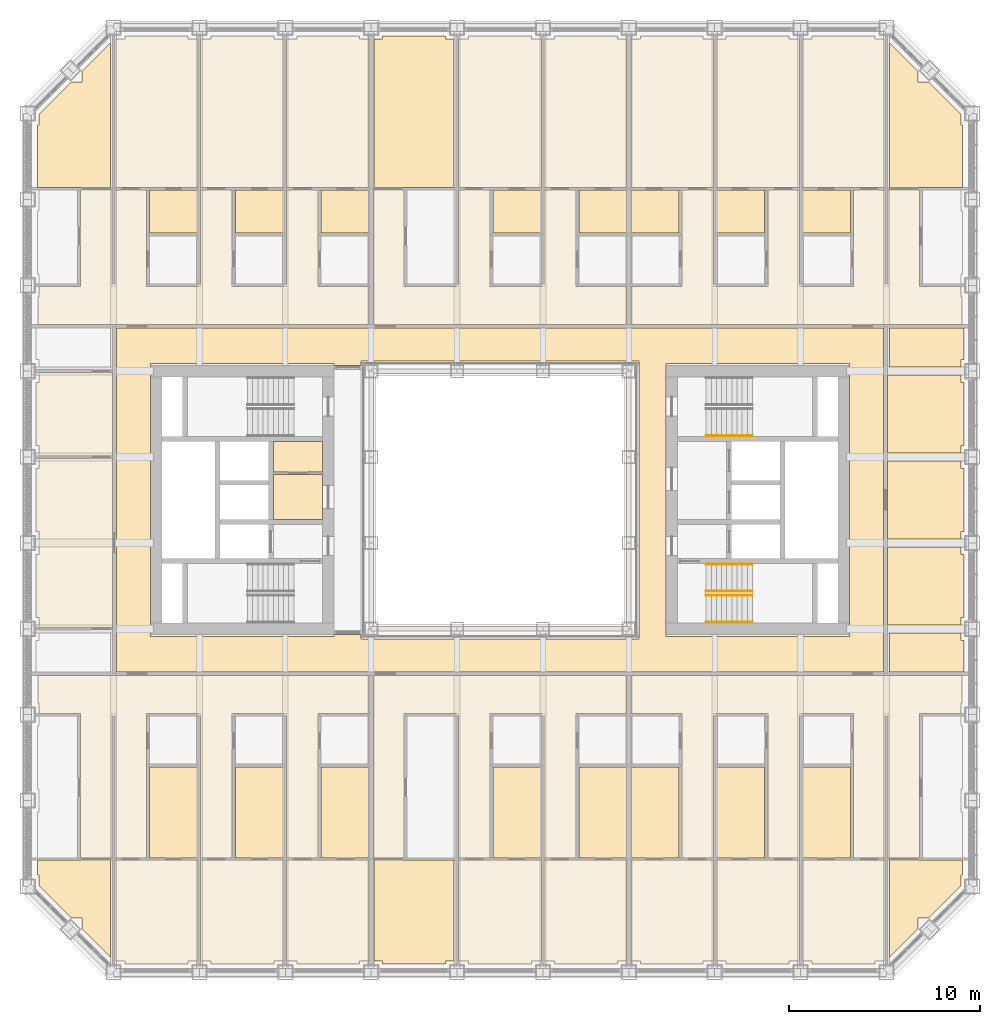
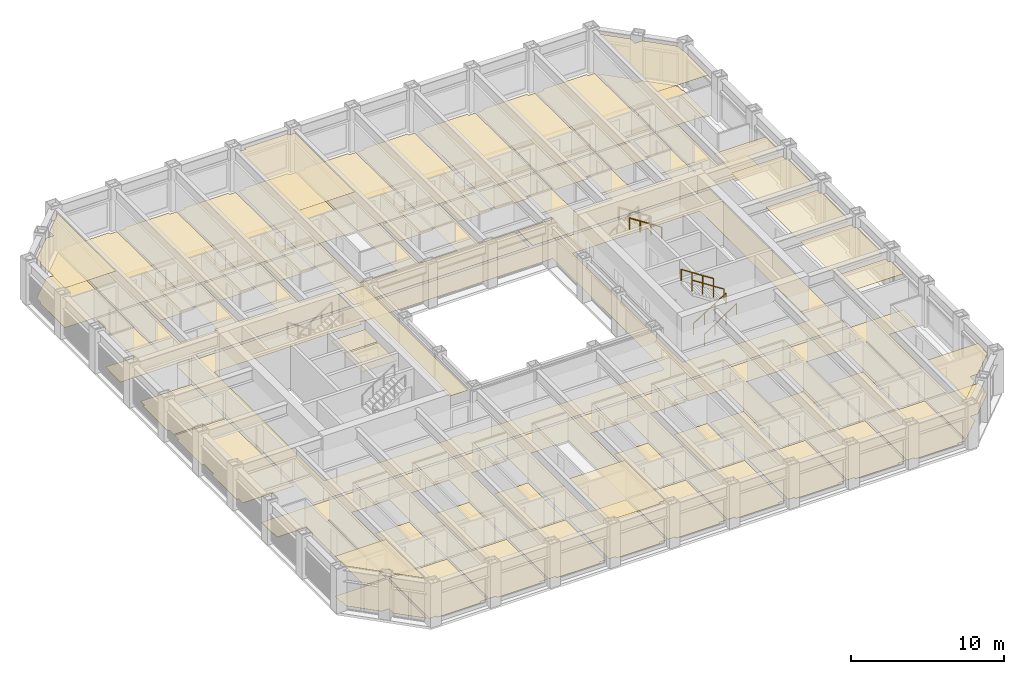
# One storey, part 20 of 21: 5 railings, 4 coverings.
"""IFC4 building model written with IfcOpenShell, lengths in metres."""

from ifc_helpers import new_model, si_unit, direction, frame, origin, origin_2d, place, context, subcontext, project, spatial, line, indexed_curve, circle, outline, extrude, material, layer, layer_set, type_object, element, save


model = new_model("IFC4")

# Units and contexts
model_context = context("Model", 3, precision=1e-05, world=origin(), true_north=direction((0.0, 1.0)))
body_context = subcontext(model_context, "Body", "Model", "MODEL_VIEW")
ifc_project = project(units=[si_unit("LENGTHUNIT", "METRE"), si_unit("AREAUNIT", "SQUARE_METRE"), si_unit("VOLUMEUNIT", "CUBIC_METRE"), si_unit("PLANEANGLEUNIT", "RADIAN"), si_unit("MASSUNIT", "GRAM", prefix="KILO")], contexts=[model_context])

# Site, building, storey
site_placement = place(None, origin())
site = spatial("IfcSite", under=ifc_project, at=site_placement, CompositionType="ELEMENT")
building_placement = place(site_placement, origin())
building = spatial("IfcBuilding", under=site, at=building_placement, Name="Msasa Ring Tower", CompositionType="ELEMENT")
storey_placement = place(building_placement, frame((0.0, 0.0, 96.5)))
storey = spatial("IfcBuildingStorey", under=building, at=storey_placement, Name="L25", CompositionType="ELEMENT", Elevation=96.5)

# Coverings
ifc_material_1 = material(Name="Gypsum plasterboard on a steel suspension grid", Category="steel")
ifc_layer_1 = layer(ifc_material_1, 0.014892578125)
ifc_layer_set_1 = layer_set([ifc_layer_1], Name="C1 SUSPENDED PLASTERBOARD CEILING 15")
covering_type_1 = type_object("IfcCoveringType", Name="C1 SUSPENDED PLASTERBOARD CEILING 15", PredefinedType="CEILING", material=ifc_layer_set_1)
covering_1_placement = place(storey_placement, frame((0.0, 0.0, 3.175048828125)))
element("IfcCovering", 1, at=covering_1_placement, inside=storey, type_object=covering_type_1, Name="Suspended Plasterboard Ceiling 15 public rooms L25", PredefinedType="CEILING", context=body_context, shape_type="SweptSolid", body=[
    extrude(outline(indexed_curve([(-24.23193359375, -18.867919921875), (-20.404296875, -18.867919921875), (-20.404296875, -23.95849609375), (-21.8994140625, -22.46337890625), (-21.8994140625, -21.8994140625), (-22.46337890625, -21.8994140625), (-24.1494140625, -20.21337890625), (-24.1494140625, -19.6494140625), (-24.23193359375, -19.6494140625)], segments=[line(1, 2, 3, 4, 5, 6, 7, 8, 9, 1)], self_intersect=False)), origin(), (0.0, 0.0, 1.0), 0.014892578125),
    extrude(outline(indexed_curve([(-24.23193359375, 16.367919921875), (-24.23193359375, 19.6494140625), (-24.1494140625, 19.6494140625), (-24.1494140625, 20.21337890625), (-22.46337890625, 21.8994140625), (-21.8994140625, 21.8994140625), (-21.8994140625, 22.46337890625), (-20.404296875, 23.95849609375), (-20.404296875, 16.367919921875)], segments=[line(1, 2, 3, 4, 5, 6, 7, 8, 9, 1)], self_intersect=False)), origin(), (0.0, 0.0, 1.0), 0.014892578125),
    extrude(outline(indexed_curve([(-8.699462890625, -6.849609375), (-8.699462890625, 6.849609375), (-7.280029296875, 6.849609375), (-7.280029296875, -6.849609375)], segments=[line(1, 2, 3, 4, 1)], self_intersect=False)), origin(), (0.0, 0.0, 1.0), 0.014892578125),
    extrude(outline(indexed_curve([(-6.1494140625, -24.299560546875), (-6.1494140625, -24.1494140625), (-6.595703125, -24.1494140625), (-6.595703125, -18.867919921875), (-2.404296875, -18.867919921875), (-2.404296875, -24.1494140625), (-2.8505859375, -24.1494140625), (-2.8505859375, -24.299560546875)], segments=[line(1, 2, 3, 4, 5, 6, 7, 8, 1)], self_intersect=False)), origin(), (0.0, 0.0, 1.0), 0.014892578125),
    extrude(outline(indexed_curve([(-6.595703125, 16.367919921875), (-6.595703125, 24.1494140625), (-6.1494140625, 24.1494140625), (-6.1494140625, 24.299560546875), (-2.8505859375, 24.299560546875), (-2.8505859375, 24.1494140625), (-2.404296875, 24.1494140625), (-2.404296875, 16.367919921875)], segments=[line(1, 2, 3, 4, 5, 6, 7, 8, 1)], self_intersect=False)), origin(), (0.0, 0.0, 1.0), 0.014892578125),
    extrude(outline(indexed_curve([(24.23193359375, -18.867919921875), (24.23193359375, -19.6494140625), (24.1494140625, -19.6494140625), (24.1494140625, -20.21337890625), (22.46337890625, -21.8994140625), (21.8994140625, -21.8994140625), (21.8994140625, -22.46337890625), (20.404296875, -23.95849609375), (20.404296875, -18.867919921875)], segments=[line(1, 2, 3, 4, 5, 6, 7, 8, 9, 1)], self_intersect=False)), origin(), (0.0, 0.0, 1.0), 0.014892578125),
    extrude(outline(indexed_curve([(24.23193359375, 16.367919921875), (20.404296875, 16.367919921875), (20.404296875, 23.95849609375), (21.8994140625, 22.46337890625), (21.8994140625, 21.8994140625), (22.46337890625, 21.8994140625), (24.1494140625, 20.21337890625), (24.1494140625, 19.6494140625), (24.23193359375, 19.6494140625)], segments=[line(1, 2, 3, 4, 5, 6, 7, 8, 9, 1)], self_intersect=False)), origin(), (0.0, 0.0, 1.0), 0.014892578125),
])
ifc_material_2 = material(Name="Mineral fibre ceiling tiles on an exposed steel grid", Category="steel")
ifc_layer_2 = layer(ifc_material_2, 0.02001953125)
ifc_layer_set_2 = layer_set([ifc_layer_2], Name="C3 ACOUSTIC MINERAL FIBRE TILE CEILING 20")
covering_type_2 = type_object("IfcCoveringType", Name="C3 ACOUSTIC MINERAL FIBRE TILE CEILING 20", PredefinedType="CEILING", material=ifc_layer_set_2)
covering_2_placement = place(storey_placement, frame((0.0, 0.0, 2.699951171875)))
element("IfcCovering", 2, at=covering_2_placement, inside=storey, type_object=covering_type_2, Name="Acoustic Mineral Fibre Tile Ceiling 20 L25", PredefinedType="CEILING", context=body_context, shape_type="SweptSolid", body=[
    extrude(outline(indexed_curve([(-9.300537109375, -1.0244140625), (-11.87451171875, -1.0244140625), (-11.87451171875, 1.344482421875), (-9.300537109375, 1.344482421875)], segments=[line(1, 2, 3, 4, 1)], self_intersect=False)), origin(), (0.0, 0.0, 1.0), 0.02001953125),
    extrude(outline(indexed_curve([(-9.300537109375, 1.45556640625), (-11.87451171875, 1.45556640625), (-11.87451171875, 3.074462890625), (-9.300537109375, 3.074462890625)], segments=[line(1, 2, 3, 4, 1)], self_intersect=False)), origin(), (0.0, 0.0, 1.0), 0.02001953125),
    extrude(outline(indexed_curve([(20.300537109375, -2.460693359375), (24.1494140625, -2.460693359375), (24.1494140625, -2.8505859375), (24.299560546875, -2.8505859375), (24.299560546875, -6.1494140625), (24.1494140625, -6.1494140625), (24.1494140625, -6.539306640625), (20.300537109375, -6.539306640625)], segments=[line(1, 2, 3, 4, 5, 6, 7, 8, 1)], self_intersect=False)), origin(), (0.0, 0.0, 1.0), 0.02001953125),
    extrude(outline(indexed_curve([(20.300537109375, 2.039306640625), (24.1494140625, 2.039306640625), (24.1494140625, 1.6494140625), (24.299560546875, 1.6494140625), (24.299560546875, -1.6494140625), (24.1494140625, -1.6494140625), (24.1494140625, -2.039306640625), (20.300537109375, -2.039306640625)], segments=[line(1, 2, 3, 4, 5, 6, 7, 8, 1)], self_intersect=False)), origin(), (0.0, 0.0, 1.0), 0.02001953125),
    extrude(outline(indexed_curve([(20.300537109375, 6.539306640625), (24.1494140625, 6.539306640625), (24.1494140625, 6.1494140625), (24.299560546875, 6.1494140625), (24.299560546875, 2.8505859375), (24.1494140625, 2.8505859375), (24.1494140625, 2.460693359375), (20.300537109375, 2.460693359375)], segments=[line(1, 2, 3, 4, 5, 6, 7, 8, 1)], self_intersect=False)), origin(), (0.0, 0.0, 1.0), 0.02001953125),
    extrude(outline(indexed_curve([(24.299560546875, -8.99951171875), (20.404296875, -8.99951171875), (20.404296875, -6.960693359375), (24.1494140625, -6.960693359375), (24.1494140625, -7.3505859375), (24.299560546875, -7.3505859375)], segments=[line(1, 2, 3, 4, 5, 6, 1)], self_intersect=False)), origin(), (0.0, 0.0, 1.0), 0.02001953125),
    extrude(outline(indexed_curve([(24.299560546875, 8.99951171875), (24.299560546875, 7.3505859375), (24.1494140625, 7.3505859375), (24.1494140625, 6.960693359375), (20.404296875, 6.960693359375), (20.404296875, 8.99951171875)], segments=[line(1, 2, 3, 4, 5, 6, 1)], self_intersect=False)), origin(), (0.0, 0.0, 1.0), 0.02001953125),
])
ifc_material_3 = material(Name="Wool-blend carpet on felt underlay", Category="textile")
ifc_layer_3 = layer(ifc_material_3, 0.011962890625)
ifc_layer_set_3 = layer_set([ifc_layer_3], Name="F2 CARPET ON UNDERLAY 12")
covering_type_3 = type_object("IfcCoveringType", Name="F2 CARPET ON UNDERLAY 12", PredefinedType="FLOORING", material=ifc_layer_set_3)
covering_3_placement = place(storey_placement, origin())
element("IfcCovering", 3, at=covering_3_placement, inside=storey, type_object=covering_type_3, Name="Carpet On Underlay 12 L25", PredefinedType="FLOORING", context=body_context, shape_type="SweptSolid", body=[
    extrude(outline(indexed_curve([(-20.318115234375, -24.044921875), (-21.8994140625, -22.46337890625), (-21.8994140625, -21.8994140625), (-22.46337890625, -21.8994140625), (-24.1494140625, -20.21337890625), (-24.1494140625, -19.6494140625), (-24.23193359375, -19.6494140625), (-24.23193359375, -18.87548828125), (-20.318115234375, -18.87548828125)], segments=[line(1, 2, 3, 4, 5, 6, 7, 8, 9, 1)], self_intersect=False)), origin(), (0.0, 0.0, 1.0), 0.011962890625),
    extrude(outline(indexed_curve([(-22.46337890625, 21.8994140625), (-21.8994140625, 21.8994140625), (-21.8994140625, 22.46337890625), (-20.318115234375, 24.044921875), (-20.318115234375, 16.37548828125), (-24.23193359375, 16.37548828125), (-24.23193359375, 19.6494140625), (-24.1494140625, 19.6494140625), (-24.1494140625, 20.21337890625)], segments=[line(1, 2, 3, 4, 5, 6, 7, 8, 9, 1)], self_intersect=False)), origin(), (0.0, 0.0, 1.0), 0.011962890625),
    extrude(outline(indexed_curve([(-20.099609375, -8.99951171875), (-20.099609375, 8.99951171875), (20.099609375, 8.99951171875), (20.099609375, -8.99951171875)], segments=[line(1, 2, 3, 4, 1)], self_intersect=False), holes=[indexed_curve([(8.699462890625, -7.150390625), (18.300537109375, -7.150390625), (18.300537109375, 7.150390625), (8.699462890625, 7.150390625)], segments=[line(1, 2, 3, 4, 1)], self_intersect=False), indexed_curve([(-8.699462890625, 7.150390625), (-18.300537109375, 7.150390625), (-18.300537109375, -7.150390625), (-8.699462890625, -7.150390625), (-8.699462890625, -7.050537109375), (-7.280029296875, -7.050537109375), (-7.275390625, -7.275390625), (-7.22998046875, -7.280029296875), (7.275390625, -7.275390625), (7.275390625, 7.275390625), (-7.22998046875, 7.280029296875), (-7.275390625, 7.275390625), (-7.280029296875, 7.050537109375), (-8.699462890625, 7.050537109375)], segments=[line(1, 2, 3, 4, 5, 6, 7, 8, 9, 10, 11, 12, 13, 14, 1)], self_intersect=False)]), origin(), (0.0, 0.0, 1.0), 0.011962890625),
    extrude(outline(indexed_curve([(-15.818115234375, -13.992919921875), (-15.818115234375, -18.74951171875), (-18.369384765625, -18.74951171875), (-18.369384765625, -13.992919921875)], segments=[line(1, 2, 3, 4, 1)], self_intersect=False)), origin(), (0.0, 0.0, 1.0), 0.011962890625),
    extrude(outline(indexed_curve([(-15.818115234375, 13.992919921875), (-18.369384765625, 13.992919921875), (-18.369384765625, 16.24951171875), (-15.818115234375, 16.24951171875)], segments=[line(1, 2, 3, 4, 1)], self_intersect=False)), origin(), (0.0, 0.0, 1.0), 0.011962890625),
    extrude(outline(indexed_curve([(-11.318115234375, -18.74951171875), (-13.869384765625, -18.74951171875), (-13.869384765625, -13.992919921875), (-11.318115234375, -13.992919921875)], segments=[line(1, 2, 3, 4, 1)], self_intersect=False)), origin(), (0.0, 0.0, 1.0), 0.011962890625),
    extrude(outline(indexed_curve([(-11.318115234375, 13.992919921875), (-13.869384765625, 13.992919921875), (-13.869384765625, 16.24951171875), (-11.318115234375, 16.24951171875)], segments=[line(1, 2, 3, 4, 1)], self_intersect=False)), origin(), (0.0, 0.0, 1.0), 0.011962890625),
    extrude(outline(indexed_curve([(-9.369384765625, -13.992919921875), (-6.87548828125, -13.992919921875), (-6.87548828125, -18.74951171875), (-9.369384765625, -18.74951171875)], segments=[line(1, 2, 3, 4, 1)], self_intersect=False)), origin(), (0.0, 0.0, 1.0), 0.011962890625),
    extrude(outline(indexed_curve([(-9.369384765625, 13.992919921875), (-9.369384765625, 16.24951171875), (-6.87548828125, 16.24951171875), (-6.87548828125, 13.992919921875)], segments=[line(1, 2, 3, 4, 1)], self_intersect=False)), origin(), (0.0, 0.0, 1.0), 0.011962890625),
    extrude(outline(indexed_curve([(-2.318115234375, -24.1494140625), (-2.8505859375, -24.1494140625), (-2.8505859375, -24.299560546875), (-6.1494140625, -24.299560546875), (-6.1494140625, -24.1494140625), (-6.62451171875, -24.1494140625), (-6.62451171875, -18.87548828125), (-2.318115234375, -18.87548828125)], segments=[line(1, 2, 3, 4, 5, 6, 7, 8, 1)], self_intersect=False)), origin(), (0.0, 0.0, 1.0), 0.011962890625),
    extrude(outline(indexed_curve([(-2.8505859375, 24.299560546875), (-2.8505859375, 24.1494140625), (-2.318115234375, 24.1494140625), (-2.318115234375, 16.37548828125), (-6.62451171875, 16.37548828125), (-6.62451171875, 24.1494140625), (-6.1494140625, 24.1494140625), (-6.1494140625, 24.299560546875)], segments=[line(1, 2, 3, 4, 5, 6, 7, 8, 1)], self_intersect=False)), origin(), (0.0, 0.0, 1.0), 0.011962890625),
    extrude(outline(indexed_curve([(2.181884765625, -18.74951171875), (-0.369384765625, -18.74951171875), (-0.369384765625, -13.992919921875), (2.181884765625, -13.992919921875)], segments=[line(1, 2, 3, 4, 1)], self_intersect=False)), origin(), (0.0, 0.0, 1.0), 0.011962890625),
    extrude(outline(indexed_curve([(2.181884765625, 13.992919921875), (-0.369384765625, 13.992919921875), (-0.369384765625, 16.24951171875), (2.181884765625, 16.24951171875)], segments=[line(1, 2, 3, 4, 1)], self_intersect=False)), origin(), (0.0, 0.0, 1.0), 0.011962890625),
    extrude(outline(indexed_curve([(6.62451171875, -13.992919921875), (6.62451171875, -18.74951171875), (4.130615234375, -18.74951171875), (4.130615234375, -13.992919921875)], segments=[line(1, 2, 3, 4, 1)], self_intersect=False)), origin(), (0.0, 0.0, 1.0), 0.011962890625),
    extrude(outline(indexed_curve([(4.130615234375, 13.992919921875), (4.130615234375, 16.24951171875), (6.62451171875, 16.24951171875), (6.62451171875, 13.992919921875)], segments=[line(1, 2, 3, 4, 1)], self_intersect=False)), origin(), (0.0, 0.0, 1.0), 0.011962890625),
    extrude(outline(indexed_curve([(9.369384765625, -18.74951171875), (6.87548828125, -18.74951171875), (6.87548828125, -13.992919921875), (9.369384765625, -13.992919921875)], segments=[line(1, 2, 3, 4, 1)], self_intersect=False)), origin(), (0.0, 0.0, 1.0), 0.011962890625),
    extrude(outline(indexed_curve([(9.369384765625, 13.992919921875), (6.87548828125, 13.992919921875), (6.87548828125, 16.24951171875), (9.369384765625, 16.24951171875)], segments=[line(1, 2, 3, 4, 1)], self_intersect=False)), origin(), (0.0, 0.0, 1.0), 0.011962890625),
    extrude(outline(indexed_curve([(13.869384765625, -18.74951171875), (11.318115234375, -18.74951171875), (11.318115234375, -13.992919921875), (13.869384765625, -13.992919921875)], segments=[line(1, 2, 3, 4, 1)], self_intersect=False)), origin(), (0.0, 0.0, 1.0), 0.011962890625),
    extrude(outline(indexed_curve([(13.869384765625, 13.992919921875), (11.318115234375, 13.992919921875), (11.318115234375, 16.24951171875), (13.869384765625, 16.24951171875)], segments=[line(1, 2, 3, 4, 1)], self_intersect=False)), origin(), (0.0, 0.0, 1.0), 0.011962890625),
    extrude(outline(indexed_curve([(18.369384765625, -13.992919921875), (18.369384765625, -18.74951171875), (15.818115234375, -18.74951171875), (15.818115234375, -13.992919921875)], segments=[line(1, 2, 3, 4, 1)], self_intersect=False)), origin(), (0.0, 0.0, 1.0), 0.011962890625),
    extrude(outline(indexed_curve([(18.369384765625, 13.992919921875), (15.818115234375, 13.992919921875), (15.818115234375, 16.24951171875), (18.369384765625, 16.24951171875)], segments=[line(1, 2, 3, 4, 1)], self_intersect=False)), origin(), (0.0, 0.0, 1.0), 0.011962890625),
    extrude(outline(indexed_curve([(22.46337890625, -21.8994140625), (21.8994140625, -21.8994140625), (21.8994140625, -22.46337890625), (20.318115234375, -24.044921875), (20.318115234375, -18.87548828125), (24.23193359375, -18.87548828125), (24.23193359375, -19.6494140625), (24.1494140625, -19.6494140625), (24.1494140625, -20.21337890625)], segments=[line(1, 2, 3, 4, 5, 6, 7, 8, 9, 1)], self_intersect=False)), origin(), (0.0, 0.0, 1.0), 0.011962890625),
    extrude(outline(indexed_curve([(21.8994140625, 22.46337890625), (21.8994140625, 21.8994140625), (22.46337890625, 21.8994140625), (24.1494140625, 20.21337890625), (24.1494140625, 19.6494140625), (24.23193359375, 19.6494140625), (24.23193359375, 16.37548828125), (20.318115234375, 16.37548828125), (20.318115234375, 24.044921875)], segments=[line(1, 2, 3, 4, 5, 6, 7, 8, 9, 1)], self_intersect=False)), origin(), (0.0, 0.0, 1.0), 0.011962890625),
])
ifc_material_4 = material(Name="Engineered oak boards on an acoustic underlay", Category="wood")
ifc_layer_4 = layer(ifc_material_4, 0.01806640625)
ifc_layer_set_4 = layer_set([ifc_layer_4], Name="F3 ENGINEERED TIMBER ON ACOUSTIC UNDERLAY 18")
covering_type_4 = type_object("IfcCoveringType", Name="F3 ENGINEERED TIMBER ON ACOUSTIC UNDERLAY 18", PredefinedType="FLOORING", material=ifc_layer_set_4)
covering_4_placement = place(storey_placement, origin())
element("IfcCovering", 4, at=covering_4_placement, inside=storey, type_object=covering_type_4, Name="Engineered Timber On Acoustic Underlay 18 L25", PredefinedType="FLOORING", context=body_context, shape_type="SweptSolid", body=[
    extrude(outline(indexed_curve([(-24.299560546875, -2.8505859375), (-24.1494140625, -2.8505859375), (-24.1494140625, -1.6494140625), (-24.299560546875, -1.6494140625), (-24.299560546875, 1.6494140625), (-24.1494140625, 1.6494140625), (-24.1494140625, 2.194580078125), (-20.300537109375, 2.194580078125), (-20.300537109375, -6.694580078125), (-24.1494140625, -6.694580078125), (-24.1494140625, -6.1494140625), (-24.299560546875, -6.1494140625)], segments=[line(1, 2, 3, 4, 5, 6, 7, 8, 9, 10, 11, 12, 1)], self_intersect=False)), origin(), (0.0, 0.0, 1.0), 0.01806640625),
    extrude(outline(indexed_curve([(-24.1494140625, 2.305419921875), (-24.1494140625, 2.8505859375), (-24.299560546875, 2.8505859375), (-24.299560546875, 6.1494140625), (-24.1494140625, 6.1494140625), (-24.1494140625, 6.66943359375), (-20.300537109375, 6.66943359375), (-20.300537109375, 2.305419921875)], segments=[line(1, 2, 3, 4, 5, 6, 7, 8, 1)], self_intersect=False)), origin(), (0.0, 0.0, 1.0), 0.01806640625),
    extrude(outline(indexed_curve([(-15.681884765625, -11.18701171875), (-18.530517578125, -11.18701171875), (-18.530517578125, -18.74951171875), (-20.181884765625, -18.74951171875), (-20.181884765625, -11.18701171875), (-20.318115234375, -11.18701171875), (-20.318115234375, -18.74951171875), (-21.969482421875, -18.74951171875), (-21.969482421875, -11.18701171875), (-24.1494140625, -11.18701171875), (-24.1494140625, -10.6494140625), (-24.199462890625, -10.6494140625), (-24.199462890625, -9.200439453125), (-6.87548828125, -9.200439453125), (-6.87548828125, -11.18701171875), (-9.530517578125, -11.18701171875), (-9.530517578125, -18.74951171875), (-11.181884765625, -18.74951171875), (-11.181884765625, -11.18701171875), (-14.030517578125, -11.18701171875), (-14.030517578125, -18.74951171875), (-15.681884765625, -18.74951171875)], segments=[line(1, 2, 3, 4, 5, 6, 7, 8, 9, 10, 11, 12, 13, 14, 15, 16, 17, 18, 19, 20, 21, 22, 1)], self_intersect=False)), origin(), (0.0, 0.0, 1.0), 0.01806640625),
    extrude(outline(indexed_curve([(-18.530517578125, 11.18701171875), (-15.681884765625, 11.18701171875), (-15.681884765625, 16.24951171875), (-14.030517578125, 16.24951171875), (-14.030517578125, 11.18701171875), (-11.181884765625, 11.18701171875), (-11.181884765625, 16.24951171875), (-9.530517578125, 16.24951171875), (-9.530517578125, 11.18701171875), (-6.87548828125, 11.18701171875), (-6.87548828125, 9.200439453125), (-24.199462890625, 9.200439453125), (-24.199462890625, 10.6494140625), (-24.1494140625, 10.6494140625), (-24.1494140625, 11.18701171875), (-21.969482421875, 11.18701171875), (-21.969482421875, 16.24951171875), (-20.318115234375, 16.24951171875), (-20.318115234375, 11.18701171875), (-20.181884765625, 11.18701171875), (-20.181884765625, 16.24951171875), (-18.530517578125, 16.24951171875)], segments=[line(1, 2, 3, 4, 5, 6, 7, 8, 9, 10, 11, 12, 13, 14, 15, 16, 17, 18, 19, 20, 21, 22, 1)], self_intersect=False)), origin(), (0.0, 0.0, 1.0), 0.01806640625),
    extrude(outline(indexed_curve([(-15.818115234375, -24.1494140625), (-16.3505859375, -24.1494140625), (-16.3505859375, -24.299560546875), (-19.6494140625, -24.299560546875), (-19.6494140625, -24.1494140625), (-20.181884765625, -24.1494140625), (-20.181884765625, -18.87548828125), (-15.818115234375, -18.87548828125)], segments=[line(1, 2, 3, 4, 5, 6, 7, 8, 1)], self_intersect=False)), origin(), (0.0, 0.0, 1.0), 0.01806640625),
    extrude(outline(indexed_curve([(-20.181884765625, 24.1494140625), (-19.6494140625, 24.1494140625), (-19.6494140625, 24.299560546875), (-16.3505859375, 24.299560546875), (-16.3505859375, 24.1494140625), (-15.818115234375, 24.1494140625), (-15.818115234375, 16.37548828125), (-20.181884765625, 16.37548828125)], segments=[line(1, 2, 3, 4, 5, 6, 7, 8, 1)], self_intersect=False)), origin(), (0.0, 0.0, 1.0), 0.01806640625),
    extrude(outline(indexed_curve([(-15.1494140625, -24.299560546875), (-15.1494140625, -24.1494140625), (-15.681884765625, -24.1494140625), (-15.681884765625, -18.87548828125), (-11.318115234375, -18.87548828125), (-11.318115234375, -24.1494140625), (-11.8505859375, -24.1494140625), (-11.8505859375, -24.299560546875)], segments=[line(1, 2, 3, 4, 5, 6, 7, 8, 1)], self_intersect=False)), origin(), (0.0, 0.0, 1.0), 0.01806640625),
    extrude(outline(indexed_curve([(-11.8505859375, 24.299560546875), (-11.8505859375, 24.1494140625), (-11.318115234375, 24.1494140625), (-11.318115234375, 16.37548828125), (-15.681884765625, 16.37548828125), (-15.681884765625, 24.1494140625), (-15.1494140625, 24.1494140625), (-15.1494140625, 24.299560546875)], segments=[line(1, 2, 3, 4, 5, 6, 7, 8, 1)], self_intersect=False)), origin(), (0.0, 0.0, 1.0), 0.01806640625),
    extrude(outline(indexed_curve([(-10.6494140625, -24.299560546875), (-10.6494140625, -24.1494140625), (-11.181884765625, -24.1494140625), (-11.181884765625, -18.87548828125), (-6.87548828125, -18.87548828125), (-6.87548828125, -24.1494140625), (-7.3505859375, -24.1494140625), (-7.3505859375, -24.299560546875)], segments=[line(1, 2, 3, 4, 5, 6, 7, 8, 1)], self_intersect=False)), origin(), (0.0, 0.0, 1.0), 0.01806640625),
    extrude(outline(indexed_curve([(-7.3505859375, 24.299560546875), (-7.3505859375, 24.1494140625), (-6.87548828125, 24.1494140625), (-6.87548828125, 16.37548828125), (-11.181884765625, 16.37548828125), (-11.181884765625, 24.1494140625), (-10.6494140625, 24.1494140625), (-10.6494140625, 24.299560546875)], segments=[line(1, 2, 3, 4, 5, 6, 7, 8, 1)], self_intersect=False)), origin(), (0.0, 0.0, 1.0), 0.01806640625),
    extrude(outline(indexed_curve([(-2.181884765625, -11.18701171875), (-5.030517578125, -11.18701171875), (-5.030517578125, -18.74951171875), (-6.62451171875, -18.74951171875), (-6.62451171875, -9.200439453125), (6.62451171875, -9.200439453125), (6.62451171875, -11.18701171875), (3.969482421875, -11.18701171875), (3.969482421875, -18.74951171875), (2.318115234375, -18.74951171875), (2.318115234375, -11.18701171875), (-0.530517578125, -11.18701171875), (-0.530517578125, -18.74951171875), (-2.181884765625, -18.74951171875)], segments=[line(1, 2, 3, 4, 5, 6, 7, 8, 9, 10, 11, 12, 13, 14, 1)], self_intersect=False)), origin(), (0.0, 0.0, 1.0), 0.01806640625),
    extrude(outline(indexed_curve([(-0.530517578125, 11.18701171875), (2.318115234375, 11.18701171875), (2.318115234375, 16.24951171875), (3.969482421875, 16.24951171875), (3.969482421875, 11.18701171875), (6.62451171875, 11.18701171875), (6.62451171875, 9.200439453125), (-6.62451171875, 9.200439453125), (-6.62451171875, 16.24951171875), (-5.030517578125, 16.24951171875), (-5.030517578125, 11.18701171875), (-2.181884765625, 11.18701171875), (-2.181884765625, 16.24951171875), (-0.530517578125, 16.24951171875)], segments=[line(1, 2, 3, 4, 5, 6, 7, 8, 9, 10, 11, 12, 13, 14, 1)], self_intersect=False)), origin(), (0.0, 0.0, 1.0), 0.01806640625),
    extrude(outline(indexed_curve([(2.181884765625, -24.1494140625), (1.6494140625, -24.1494140625), (1.6494140625, -24.299560546875), (-1.6494140625, -24.299560546875), (-1.6494140625, -24.1494140625), (-2.181884765625, -24.1494140625), (-2.181884765625, -18.87548828125), (2.181884765625, -18.87548828125)], segments=[line(1, 2, 3, 4, 5, 6, 7, 8, 1)], self_intersect=False)), origin(), (0.0, 0.0, 1.0), 0.01806640625),
    extrude(outline(indexed_curve([(1.6494140625, 24.299560546875), (1.6494140625, 24.1494140625), (2.181884765625, 24.1494140625), (2.181884765625, 16.37548828125), (-2.181884765625, 16.37548828125), (-2.181884765625, 24.1494140625), (-1.6494140625, 24.1494140625), (-1.6494140625, 24.299560546875)], segments=[line(1, 2, 3, 4, 5, 6, 7, 8, 1)], self_intersect=False)), origin(), (0.0, 0.0, 1.0), 0.01806640625),
    extrude(outline(indexed_curve([(2.8505859375, -24.299560546875), (2.8505859375, -24.1494140625), (2.318115234375, -24.1494140625), (2.318115234375, -18.87548828125), (6.62451171875, -18.87548828125), (6.62451171875, -24.1494140625), (6.1494140625, -24.1494140625), (6.1494140625, -24.299560546875)], segments=[line(1, 2, 3, 4, 5, 6, 7, 8, 1)], self_intersect=False)), origin(), (0.0, 0.0, 1.0), 0.01806640625),
    extrude(outline(indexed_curve([(6.1494140625, 24.299560546875), (6.1494140625, 24.1494140625), (6.62451171875, 24.1494140625), (6.62451171875, 16.37548828125), (2.318115234375, 16.37548828125), (2.318115234375, 24.1494140625), (2.8505859375, 24.1494140625), (2.8505859375, 24.299560546875)], segments=[line(1, 2, 3, 4, 5, 6, 7, 8, 1)], self_intersect=False)), origin(), (0.0, 0.0, 1.0), 0.01806640625),
    extrude(outline(indexed_curve([(7.3505859375, -24.299560546875), (7.3505859375, -24.1494140625), (6.87548828125, -24.1494140625), (6.87548828125, -18.87548828125), (11.181884765625, -18.87548828125), (11.181884765625, -24.1494140625), (10.6494140625, -24.1494140625), (10.6494140625, -24.299560546875)], segments=[line(1, 2, 3, 4, 5, 6, 7, 8, 1)], self_intersect=False)), origin(), (0.0, 0.0, 1.0), 0.01806640625),
    extrude(outline(indexed_curve([(18.530517578125, -11.18701171875), (15.681884765625, -11.18701171875), (15.681884765625, -18.74951171875), (14.030517578125, -18.74951171875), (14.030517578125, -11.18701171875), (11.181884765625, -11.18701171875), (11.181884765625, -18.74951171875), (9.530517578125, -18.74951171875), (9.530517578125, -11.18701171875), (6.87548828125, -11.18701171875), (6.87548828125, -9.200439453125), (24.199462890625, -9.200439453125), (24.199462890625, -10.6494140625), (24.1494140625, -10.6494140625), (24.1494140625, -11.18701171875), (21.969482421875, -11.18701171875), (21.969482421875, -18.74951171875), (20.318115234375, -18.74951171875), (20.318115234375, -11.18701171875), (20.181884765625, -11.18701171875), (20.181884765625, -18.74951171875), (18.530517578125, -18.74951171875)], segments=[line(1, 2, 3, 4, 5, 6, 7, 8, 9, 10, 11, 12, 13, 14, 15, 16, 17, 18, 19, 20, 21, 22, 1)], self_intersect=False)), origin(), (0.0, 0.0, 1.0), 0.01806640625),
    extrude(outline(indexed_curve([(15.681884765625, 11.18701171875), (18.530517578125, 11.18701171875), (18.530517578125, 16.24951171875), (20.181884765625, 16.24951171875), (20.181884765625, 11.18701171875), (20.318115234375, 11.18701171875), (20.318115234375, 16.24951171875), (21.969482421875, 16.24951171875), (21.969482421875, 11.18701171875), (24.1494140625, 11.18701171875), (24.1494140625, 10.6494140625), (24.199462890625, 10.6494140625), (24.199462890625, 9.200439453125), (6.87548828125, 9.200439453125), (6.87548828125, 11.18701171875), (9.530517578125, 11.18701171875), (9.530517578125, 16.24951171875), (11.181884765625, 16.24951171875), (11.181884765625, 11.18701171875), (14.030517578125, 11.18701171875), (14.030517578125, 16.24951171875), (15.681884765625, 16.24951171875)], segments=[line(1, 2, 3, 4, 5, 6, 7, 8, 9, 10, 11, 12, 13, 14, 15, 16, 17, 18, 19, 20, 21, 22, 1)], self_intersect=False)), origin(), (0.0, 0.0, 1.0), 0.01806640625),
    extrude(outline(indexed_curve([(10.6494140625, 24.299560546875), (10.6494140625, 24.1494140625), (11.181884765625, 24.1494140625), (11.181884765625, 16.37548828125), (6.87548828125, 16.37548828125), (6.87548828125, 24.1494140625), (7.3505859375, 24.1494140625), (7.3505859375, 24.299560546875)], segments=[line(1, 2, 3, 4, 5, 6, 7, 8, 1)], self_intersect=False)), origin(), (0.0, 0.0, 1.0), 0.01806640625),
    extrude(outline(indexed_curve([(15.681884765625, -24.1494140625), (15.1494140625, -24.1494140625), (15.1494140625, -24.299560546875), (11.8505859375, -24.299560546875), (11.8505859375, -24.1494140625), (11.318115234375, -24.1494140625), (11.318115234375, -18.87548828125), (15.681884765625, -18.87548828125)], segments=[line(1, 2, 3, 4, 5, 6, 7, 8, 1)], self_intersect=False)), origin(), (0.0, 0.0, 1.0), 0.01806640625),
    extrude(outline(indexed_curve([(15.1494140625, 24.299560546875), (15.1494140625, 24.1494140625), (15.681884765625, 24.1494140625), (15.681884765625, 16.37548828125), (11.318115234375, 16.37548828125), (11.318115234375, 24.1494140625), (11.8505859375, 24.1494140625), (11.8505859375, 24.299560546875)], segments=[line(1, 2, 3, 4, 5, 6, 7, 8, 1)], self_intersect=False)), origin(), (0.0, 0.0, 1.0), 0.01806640625),
    extrude(outline(indexed_curve([(20.181884765625, -24.1494140625), (19.6494140625, -24.1494140625), (19.6494140625, -24.299560546875), (16.3505859375, -24.299560546875), (16.3505859375, -24.1494140625), (15.818115234375, -24.1494140625), (15.818115234375, -18.87548828125), (20.181884765625, -18.87548828125)], segments=[line(1, 2, 3, 4, 5, 6, 7, 8, 1)], self_intersect=False)), origin(), (0.0, 0.0, 1.0), 0.01806640625),
    extrude(outline(indexed_curve([(15.818115234375, 24.1494140625), (16.3505859375, 24.1494140625), (16.3505859375, 24.299560546875), (19.6494140625, 24.299560546875), (19.6494140625, 24.1494140625), (20.181884765625, 24.1494140625), (20.181884765625, 16.37548828125), (15.818115234375, 16.37548828125)], segments=[line(1, 2, 3, 4, 5, 6, 7, 8, 1)], self_intersect=False)), origin(), (0.0, 0.0, 1.0), 0.01806640625),
])

# Railings
ifc_material_5 = material(Name="Stainless steel", Category="steel")
railing_type = type_object("IfcRailingType", Name="HR1 HANDRAIL 900", PredefinedType="HANDRAIL", material=ifc_material_5)
for number, where, name in (
    (5, (10.800048828125, -6.39990234375, 0.175048828125), "Handrail stair SEA L25 1"),
    (6, (10.800048828125, -5.0, 0.175048828125), "Handrail stair SEA L25 2"),
):
    element("IfcRailing", number, at=place(storey_placement, frame(where)), inside=storey, type_object=railing_type, Name=name, PredefinedType="HANDRAIL", context=body_context, shape_type="SweptSolid", body=[
        extrude(circle(Radius=0.02392578125, at=origin_2d()), frame((0.0, 0.0, 0.8759765625), z_axis=(0.839153699163, 0.0, 0.543894354798), x_axis=(0.0, 1.0, 0.0)), (0.0, 0.0, 1.0), 2.895751953125),
        extrude(circle(Radius=0.02099609375, at=origin_2d()), origin(), (0.0, 0.0, 1.0), 0.851806640625),
        extrude(circle(Radius=0.02099609375, at=origin_2d()), frame((0.81005859375, 0.0, 0.52490234375)), (0.0, 0.0, 1.0), 0.851806640625),
        extrude(circle(Radius=0.02099609375, at=origin_2d()), frame((1.619873046875, 0.0, 1.050048828125)), (0.0, 0.0, 1.0), 0.851806640625),
        extrude(circle(Radius=0.02099609375, at=origin_2d()), frame((2.429931640625, 0.0, 1.574951171875)), (0.0, 0.0, 1.0), 0.851806640625),
    ])
for number, where, name in (
    (7, (13.22998046875, -4.77490234375, 1.925048828125), "Handrail stair SEA L25 3"),
    (8, (13.22998046875, -3.375, 1.925048828125), "Handrail stair SEA L25 4"),
    (9, (13.22998046875, 3.375, 1.925048828125), "Handrail stair SEB L25 3"),
):
    element("IfcRailing", number, at=place(storey_placement, frame(where)), inside=storey, type_object=railing_type, Name=name, PredefinedType="HANDRAIL", context=body_context, shape_type="SweptSolid", body=[
        extrude(circle(Radius=0.02392578125, at=origin_2d()), frame((0.0, 0.0, 0.8759765625), z_axis=(-0.839153699163, 0.0, 0.543894354798), x_axis=(0.0, -1.0, 0.0)), (0.0, 0.0, 1.0), 2.895751953125),
        extrude(circle(Radius=0.02099609375, at=origin_2d()), origin(), (0.0, 0.0, 1.0), 0.851806640625),
        extrude(circle(Radius=0.02099609375, at=origin_2d()), frame((-0.81005859375, 0.0, 0.52490234375)), (0.0, 0.0, 1.0), 0.851806640625),
        extrude(circle(Radius=0.02099609375, at=origin_2d()), frame((-1.619873046875, 0.0, 1.050048828125)), (0.0, 0.0, 1.0), 0.851806640625),
        extrude(circle(Radius=0.02099609375, at=origin_2d()), frame((-2.429931640625, 0.0, 1.574951171875)), (0.0, 0.0, 1.0), 0.851806640625),
    ])

save(model, "model.ifc")
